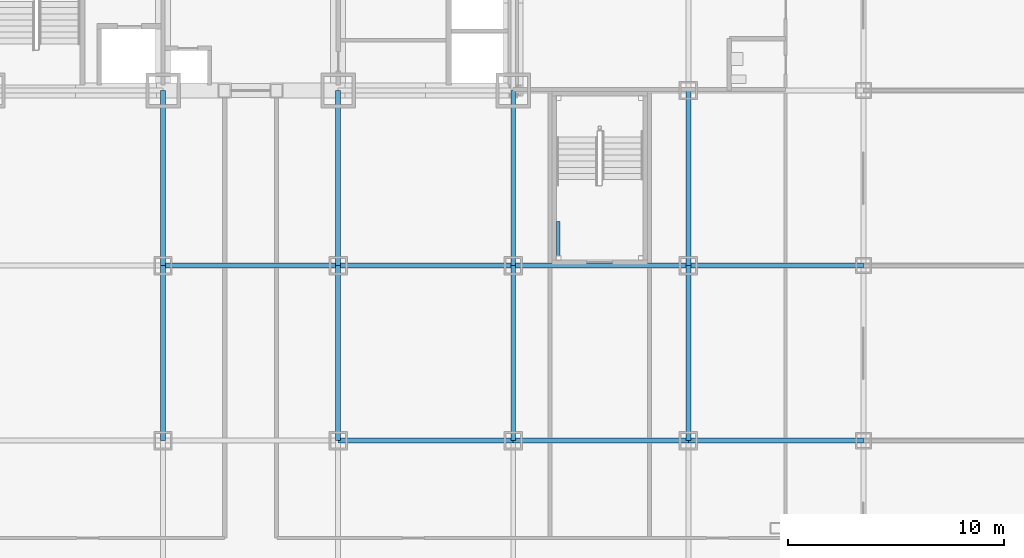
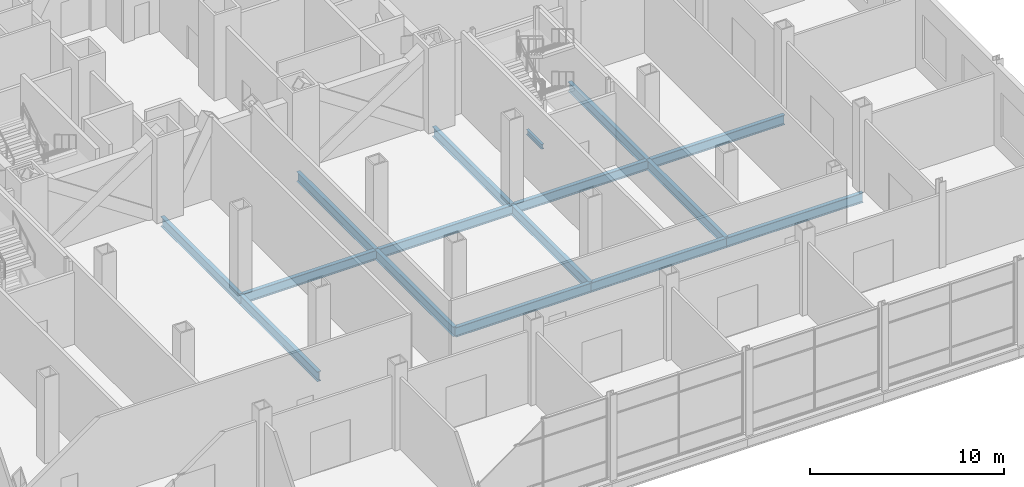
# One storey, part 13 of 30: 16 beams.
"""IFC4 building model written with IfcOpenShell, lengths in metres."""

from ifc_helpers import new_model, si_unit, direction, frame, origin, origin_2d, place, context, subcontext, project, spatial, i_section, extrude, material, material_profile, profile_set, type_object, element, save


model = new_model("IFC4")

# Units and contexts
model_context = context("Model", 3, precision=1e-05, world=origin(), true_north=direction((0.0, 1.0)))
body_context = subcontext(model_context, "Body", "Model", "MODEL_VIEW")
ifc_project = project(units=[si_unit("LENGTHUNIT", "METRE"), si_unit("AREAUNIT", "SQUARE_METRE"), si_unit("VOLUMEUNIT", "CUBIC_METRE"), si_unit("PLANEANGLEUNIT", "RADIAN"), si_unit("MASSUNIT", "GRAM", prefix="KILO")], contexts=[model_context])

# Site, building, storey
site_placement = place(None, origin())
site = spatial("IfcSite", under=ifc_project, at=site_placement, CompositionType="ELEMENT")
building_placement = place(site_placement, origin())
building = spatial("IfcBuilding", under=site, at=building_placement, Name="Kopane Lantern Tower", CompositionType="ELEMENT")
storey_placement = place(building_placement, frame((0.0, 0.0, 6.0)))
storey = spatial("IfcBuildingStorey", under=building, at=storey_placement, Name="L01", CompositionType="ELEMENT", Elevation=6.0)

# Beams
ifc_material_1 = material(Name="Steel S355JR", Category="steel")
ifc_material_profile_1 = material_profile(ifc_material_1, i_section(OverallWidth=0.22900390625, OverallDepth=0.6123046875, WebThickness=0.011962890625, FlangeThickness=0.01953125, FilletRadius=0.0126953125, at=origin_2d()), Name="UB 610x229x125")
ifc_profile_set_1 = profile_set([ifc_material_profile_1], Name="Steel S355JR")
beam_type_1 = type_object("IfcBeamType", Name="GIRDER UB 610x229x125", PredefinedType="BEAM", material=ifc_profile_set_1)
beam_1_placement = place(storey_placement, frame((24.300048828125, 8.10009765625, -0.55615234375), z_axis=(0.0, 1.0, 0.0), x_axis=(-1.0, 0.0, 0.0)))
element("IfcBeam", 1, at=beam_1_placement, inside=storey, type_object=beam_type_1, Name="Girder L01", PredefinedType="BEAM", context=body_context, shape_type="SweptSolid", body=[
    extrude(i_section(OverallWidth=0.22900390625, OverallDepth=0.6123046875, WebThickness=0.011962890625, FlangeThickness=0.01953125, FilletRadius=0.0126953125, at=origin_2d()), origin(), (0.0, 0.0, 1.0), 8.099853515625),
])
beam_2_placement = place(storey_placement, frame((24.300048828125, 16.199951171875, -0.55615234375), z_axis=(0.0, 1.0, 0.0), x_axis=(-1.0, 0.0, 0.0)))
element("IfcBeam", 2, at=beam_2_placement, inside=storey, type_object=beam_type_1, Name="Girder L01", PredefinedType="BEAM", context=body_context, shape_type="SweptSolid", body=[
    extrude(i_section(OverallWidth=0.22900390625, OverallDepth=0.6123046875, WebThickness=0.011962890625, FlangeThickness=0.01953125, FilletRadius=0.0126953125, at=origin_2d()), origin(), (0.0, 0.0, 1.0), 8.10009765625),
])
for number, where, z_axis, x_axis, name in (
    (3, (24.300048828125, 16.199951171875, -0.55615234375), (1.0, 0.0, 0.0), (0.0, 1.0, 0.0), "Girder L01"),
    (4, (32.39990234375, 8.10009765625, -0.55615234375), (0.0, 1.0, 0.0), (-1.0, 0.0, 0.0), "Girder L01"),
):
    element("IfcBeam", number, at=place(storey_placement, frame(where, z_axis=z_axis, x_axis=x_axis)), inside=storey, type_object=beam_type_1, Name=name, PredefinedType="BEAM", context=body_context, shape_type="SweptSolid", body=[
        extrude(i_section(OverallWidth=0.22900390625, OverallDepth=0.6123046875, WebThickness=0.011962890625, FlangeThickness=0.01953125, FilletRadius=0.0126953125, at=origin_2d()), origin(), (0.0, 0.0, 1.0), 8.099853515625),
    ])
for number, where, z_axis, x_axis, name in (
    (5, (32.39990234375, 8.10009765625, -0.55615234375), (1.0, 0.0, 0.0), (0.0, 1.0, 0.0), "Girder L01"),
    (6, (32.39990234375, 16.199951171875, -0.55615234375), (0.0, 1.0, 0.0), (-1.0, 0.0, 0.0), "Girder L01"),
    (7, (32.39990234375, 16.199951171875, -0.55615234375), (1.0, 0.0, 0.0), (0.0, 1.0, 0.0), "Girder L01"),
):
    element("IfcBeam", number, at=place(storey_placement, frame(where, z_axis=z_axis, x_axis=x_axis)), inside=storey, type_object=beam_type_1, Name=name, PredefinedType="BEAM", context=body_context, shape_type="SweptSolid", body=[
        extrude(i_section(OverallWidth=0.22900390625, OverallDepth=0.6123046875, WebThickness=0.011962890625, FlangeThickness=0.01953125, FilletRadius=0.0126953125, at=origin_2d()), origin(), (0.0, 0.0, 1.0), 8.10009765625),
    ])
beam_3_placement = place(storey_placement, frame((40.5, 8.10009765625, -0.55615234375), z_axis=(0.0, 1.0, 0.0), x_axis=(-1.0, 0.0, 0.0)))
element("IfcBeam", 8, at=beam_3_placement, inside=storey, type_object=beam_type_1, Name="Girder L01", PredefinedType="BEAM", context=body_context, shape_type="SweptSolid", body=[
    extrude(i_section(OverallWidth=0.22900390625, OverallDepth=0.6123046875, WebThickness=0.011962890625, FlangeThickness=0.01953125, FilletRadius=0.0126953125, at=origin_2d()), origin(), (0.0, 0.0, 1.0), 8.099853515625),
])
for number, where, z_axis, x_axis, name in (
    (9, (40.5, 8.10009765625, -0.55615234375), (1.0, 0.0, 0.0), (0.0, 1.0, 0.0), "Girder L01"),
    (10, (40.5, 16.199951171875, -0.55615234375), (0.0, 1.0, 0.0), (-1.0, 0.0, 0.0), "Girder L01"),
    (11, (40.5, 16.199951171875, -0.55615234375), (1.0, 0.0, 0.0), (0.0, 1.0, 0.0), "Girder L01"),
):
    element("IfcBeam", number, at=place(storey_placement, frame(where, z_axis=z_axis, x_axis=x_axis)), inside=storey, type_object=beam_type_1, Name=name, PredefinedType="BEAM", context=body_context, shape_type="SweptSolid", body=[
        extrude(i_section(OverallWidth=0.22900390625, OverallDepth=0.6123046875, WebThickness=0.011962890625, FlangeThickness=0.01953125, FilletRadius=0.0126953125, at=origin_2d()), origin(), (0.0, 0.0, 1.0), 8.10009765625),
    ])
for number, where, z_axis, x_axis, name in (
    (12, (48.60009765625, 8.10009765625, -0.55615234375), (0.0, 1.0, 0.0), (-1.0, 0.0, 0.0), "Girder L01"),
    (13, (48.60009765625, 8.10009765625, -0.55615234375), (1.0, 0.0, 0.0), (0.0, 1.0, 0.0), "Girder L01"),
):
    element("IfcBeam", number, at=place(storey_placement, frame(where, z_axis=z_axis, x_axis=x_axis)), inside=storey, type_object=beam_type_1, Name=name, PredefinedType="BEAM", context=body_context, shape_type="SweptSolid", body=[
        extrude(i_section(OverallWidth=0.22900390625, OverallDepth=0.6123046875, WebThickness=0.011962890625, FlangeThickness=0.01953125, FilletRadius=0.0126953125, at=origin_2d()), origin(), (0.0, 0.0, 1.0), 8.099853515625),
    ])
beam_4_placement = place(storey_placement, frame((48.60009765625, 16.199951171875, -0.55615234375), z_axis=(0.0, 1.0, 0.0), x_axis=(-1.0, 0.0, 0.0)))
element("IfcBeam", 14, at=beam_4_placement, inside=storey, type_object=beam_type_1, Name="Girder L01", PredefinedType="BEAM", context=body_context, shape_type="SweptSolid", body=[
    extrude(i_section(OverallWidth=0.22900390625, OverallDepth=0.6123046875, WebThickness=0.011962890625, FlangeThickness=0.01953125, FilletRadius=0.0126953125, at=origin_2d()), origin(), (0.0, 0.0, 1.0), 8.10009765625),
])
beam_5_placement = place(storey_placement, frame((48.60009765625, 16.199951171875, -0.55615234375), z_axis=(1.0, 0.0, 0.0), x_axis=(0.0, 1.0, 0.0)))
element("IfcBeam", 15, at=beam_5_placement, inside=storey, type_object=beam_type_1, Name="Girder L01", PredefinedType="BEAM", context=body_context, shape_type="SweptSolid", body=[
    extrude(i_section(OverallWidth=0.22900390625, OverallDepth=0.6123046875, WebThickness=0.011962890625, FlangeThickness=0.01953125, FilletRadius=0.0126953125, at=origin_2d()), origin(), (0.0, 0.0, 1.0), 8.099853515625),
])
ifc_material_2 = material(Name="Steel S355JR", Category="steel")
ifc_material_profile_2 = material_profile(ifc_material_2, i_section(OverallWidth=0.1650390625, OverallDepth=0.303466796875, WebThickness=0.006103515625, FlangeThickness=0.01025390625, FilletRadius=0.0087890625, at=origin_2d()), Name="UB 305x165x40")
ifc_profile_set_2 = profile_set([ifc_material_profile_2], Name="Steel S355JR")
beam_type_2 = type_object("IfcBeamType", Name="STAIR LANDING BEAM UB 305x165x40", PredefinedType="BEAM", material=ifc_profile_set_2)
beam_6_placement = place(storey_placement, frame((42.58251953125, 16.64990234375, 2.348388671875), z_axis=(0.0, 1.0, 0.0), x_axis=(-1.0, 0.0, 0.0)))
element("IfcBeam", 16, at=beam_6_placement, inside=storey, type_object=beam_type_2, Name="Stair landing beam ST4 L01", PredefinedType="BEAM", context=body_context, shape_type="SweptSolid", body=[
    extrude(i_section(OverallWidth=0.1650390625, OverallDepth=0.303466796875, WebThickness=0.006103515625, FlangeThickness=0.01025390625, FilletRadius=0.0087890625, at=origin_2d()), origin(), (0.0, 0.0, 1.0), 1.60009765625),
])

save(model, "model.ifc")
